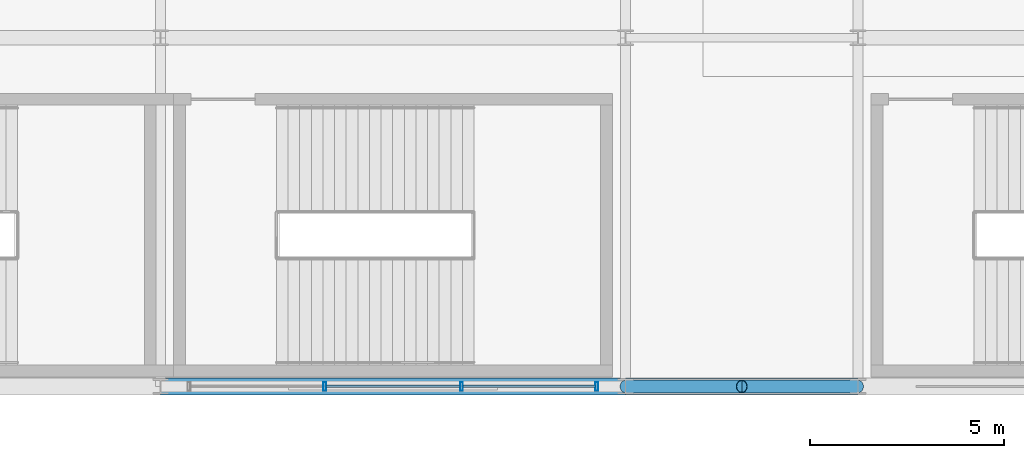
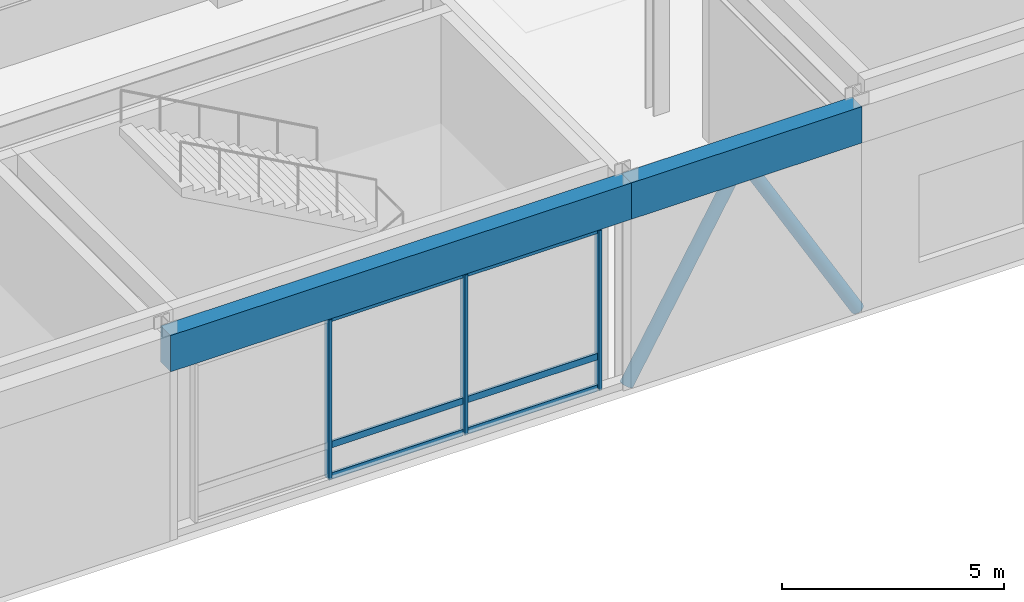
# One storey, part 16 of 105: 11 members, 2 beams, 1 element without a shape of its own.
"""IFC4 building model written with IfcOpenShell, lengths in metres."""

from ifc_helpers import new_model, si_unit, direction, frame, origin, origin_2d, place, context, subcontext, project, spatial, rectangle, hollow_rectangle, hollow_circle, extrude, material, material_profile, profile_set, type_object, element, aggregate, save


model = new_model("IFC4")

# Units and contexts
model_context = context("Model", 3, precision=1e-05, world=origin(), true_north=direction((0.0, 1.0)))
body_context = subcontext(model_context, "Body", "Model", "MODEL_VIEW")
ifc_project = project(units=[si_unit("LENGTHUNIT", "METRE"), si_unit("AREAUNIT", "SQUARE_METRE"), si_unit("VOLUMEUNIT", "CUBIC_METRE"), si_unit("PLANEANGLEUNIT", "RADIAN"), si_unit("MASSUNIT", "GRAM", prefix="KILO")], contexts=[model_context])

# Site, building, storey
site_placement = place(None, origin())
site = spatial("IfcSite", under=ifc_project, at=site_placement, CompositionType="ELEMENT")
building_placement = place(site_placement, origin())
building = spatial("IfcBuilding", under=site, at=building_placement, Name="Kaldorvane Square Convention Centre", CompositionType="ELEMENT")
storey_placement = place(building_placement, frame((0.0, 0.0, 6.0)))
storey = spatial("IfcBuildingStorey", under=building, at=storey_placement, Name="L01", CompositionType="ELEMENT", Elevation=6.0)

# Beams
ifc_material_1 = material(Name="Concrete f'c = 42 MPa (Normalweight)", Category="concrete")
ifc_material_profile_1 = material_profile(ifc_material_1, rectangle(XDim=0.4499969482421875, YDim=1.0, at=origin_2d()), Name="RCSP1000X450")
ifc_profile_set_1 = profile_set([ifc_material_profile_1], Name="Concrete f'c = 42 MPa (Normalweight)")
beam_type = type_object("IfcBeamType", Name="BM-SP-RC1000", PredefinedType="SPANDREL", material=ifc_profile_set_1)
beam_1_placement = place(storey_placement, frame((12.0, 0.0, 5.175994873046875), z_axis=(1.0, 0.0, 0.0), x_axis=(0.0, 1.0, 0.0)))
element("IfcBeam", 1, at=beam_1_placement, inside=storey, type_object=beam_type, Name="Perimeter Spandrel (L01)", PredefinedType="SPANDREL", context=body_context, shape_type="SweptSolid", body=[
    extrude(rectangle(XDim=0.4499969482421875, YDim=1.0, at=origin_2d()), origin(), (0.0, 0.0, 1.0), 12.0),
])
beam_2_placement = place(storey_placement, frame((24.0, 0.0, 5.175994873046875), z_axis=(1.0, 0.0, 0.0), x_axis=(0.0, 1.0, 0.0)))
element("IfcBeam", 2, at=beam_2_placement, inside=storey, type_object=beam_type, Name="Perimeter Spandrel (L01)", PredefinedType="SPANDREL", context=body_context, shape_type="SweptSolid", body=[
    extrude(rectangle(XDim=0.4499969482421875, YDim=1.0, at=origin_2d()), origin(), (0.0, 0.0, 1.0), 6.0),
])

# Curtain wall, members
ifc_material_2 = material(Name="Anodized Aluminum and Low-E Insulated Glazing", Category="aluminium")
curtain_wall_type = type_object("IfcCurtainWallType", Name="CW-UNI-P60-12", PredefinedType="USERDEFINED", material=ifc_material_2)
curtain_wall_placement = place(storey_placement, origin())
curtain_wall = element("IfcCurtainWall", 3, at=curtain_wall_placement, inside=storey, type_object=curtain_wall_type, Name="Curtain Wall CW-01 (L01)", ObjectType="UNITISED GLAZING", PredefinedType="USERDEFINED")
ifc_material_profile_2 = material_profile(ifc_material_2, hollow_rectangle(XDim=0.0749969482421875, YDim=0.220001220703125, WallThickness=0.003997802734375, at=origin_2d()), Name="CWM-220X75")
ifc_profile_set_2 = profile_set([ifc_material_profile_2], Name="Anodized Aluminum and Low-E Insulated Glazing")
member_type_1 = type_object("IfcMemberType", Name="CW-MUL-220", PredefinedType="MULLION", material=ifc_profile_set_2)
member_1_placement = place(storey_placement, frame((16.23333740234375, 0.0, 0.149993896484375), z_axis=(0.0, 0.0, 1.0), x_axis=(1.0, 0.0, 0.0)))
member_1 = element("IfcMember", 4, at=member_1_placement, type_object=member_type_1, Name="CW-01 mullion 2", PredefinedType="MULLION", context=body_context, shape_type="SweptSolid", body=[
    extrude(hollow_rectangle(XDim=0.0749969482421875, YDim=0.220001220703125, WallThickness=0.003997802734375, at=origin_2d()), origin(), (0.0, 0.0, 1.0), 4.410003662109375),
])
member_2_placement = place(storey_placement, frame((19.76666259765625, 0.0, 0.149993896484375), z_axis=(0.0, 0.0, 1.0), x_axis=(1.0, 0.0, 0.0)))
member_2 = element("IfcMember", 5, at=member_2_placement, type_object=member_type_1, Name="CW-01 mullion 3", PredefinedType="MULLION", context=body_context, shape_type="SweptSolid", body=[
    extrude(hollow_rectangle(XDim=0.0749969482421875, YDim=0.220001220703125, WallThickness=0.003997802734375, at=origin_2d()), origin(), (0.0, 0.0, 1.0), 4.410003662109375),
])
member_3_placement = place(storey_placement, frame((23.262496948242188, 0.0, 0.149993896484375), z_axis=(0.0, 0.0, 1.0), x_axis=(1.0, 0.0, 0.0)))
member_3 = element("IfcMember", 6, at=member_3_placement, type_object=member_type_1, Name="CW-01 mullion 4", PredefinedType="MULLION", context=body_context, shape_type="SweptSolid", body=[
    extrude(hollow_rectangle(XDim=0.0749969482421875, YDim=0.220001220703125, WallThickness=0.003997802734375, at=origin_2d()), origin(), (0.0, 0.0, 1.0), 4.410003662109375),
])
ifc_material_profile_3 = material_profile(ifc_material_2, hollow_rectangle(XDim=0.06500244140625, YDim=0.17999267578125, WallThickness=0.0034942626953125, at=origin_2d()), Name="CWT-180X65")
ifc_profile_set_3 = profile_set([ifc_material_profile_3], Name="Anodized Aluminum and Low-E Insulated Glazing")
member_type_2 = type_object("IfcMemberType", Name="CW-TRN-180", PredefinedType="USERDEFINED", material=ifc_profile_set_3)
member_4_placement = place(storey_placement, frame((16.270828247070312, 0.0, 0.1824951171875), z_axis=(1.0, 0.0, 0.0), x_axis=(0.0, 1.0, 0.0)))
member_4 = element("IfcMember", 7, at=member_4_placement, type_object=member_type_2, Name="CW-01 transom 2.1", ObjectType="TRANSOM", PredefinedType="USERDEFINED", context=body_context, shape_type="SweptSolid", body=[
    extrude(hollow_rectangle(XDim=0.06500244140625, YDim=0.17999267578125, WallThickness=0.0034942626953125, at=origin_2d()), origin(), (0.0, 0.0, 1.0), 3.458343505859375),
])
member_5_placement = place(storey_placement, frame((16.270828247070312, 0.0, 1.0500030517578125), z_axis=(1.0, 0.0, 0.0), x_axis=(0.0, 1.0, 0.0)))
member_5 = element("IfcMember", 8, at=member_5_placement, type_object=member_type_2, Name="CW-01 transom 2.2", ObjectType="TRANSOM", PredefinedType="USERDEFINED", context=body_context, shape_type="SweptSolid", body=[
    extrude(hollow_rectangle(XDim=0.06500244140625, YDim=0.17999267578125, WallThickness=0.0034942626953125, at=origin_2d()), origin(), (0.0, 0.0, 1.0), 3.458343505859375),
])
member_6_placement = place(storey_placement, frame((16.270828247070312, 0.0, 4.527496337890625), z_axis=(1.0, 0.0, 0.0), x_axis=(0.0, 1.0, 0.0)))
member_6 = element("IfcMember", 9, at=member_6_placement, type_object=member_type_2, Name="CW-01 transom 2.3", ObjectType="TRANSOM", PredefinedType="USERDEFINED", context=body_context, shape_type="SweptSolid", body=[
    extrude(hollow_rectangle(XDim=0.06500244140625, YDim=0.17999267578125, WallThickness=0.0034942626953125, at=origin_2d()), origin(), (0.0, 0.0, 1.0), 3.458343505859375),
])
member_7_placement = place(storey_placement, frame((19.804168701171875, 0.0, 0.1824951171875), z_axis=(1.0, 0.0, 0.0), x_axis=(0.0, 1.0, 0.0)))
member_7 = element("IfcMember", 10, at=member_7_placement, type_object=member_type_2, Name="CW-01 transom 3.1", ObjectType="TRANSOM", PredefinedType="USERDEFINED", context=body_context, shape_type="SweptSolid", body=[
    extrude(hollow_rectangle(XDim=0.06500244140625, YDim=0.17999267578125, WallThickness=0.0034942626953125, at=origin_2d()), origin(), (0.0, 0.0, 1.0), 3.42083740234375),
])
member_8_placement = place(storey_placement, frame((19.804168701171875, 0.0, 1.0500030517578125), z_axis=(1.0, 0.0, 0.0), x_axis=(0.0, 1.0, 0.0)))
member_8 = element("IfcMember", 11, at=member_8_placement, type_object=member_type_2, Name="CW-01 transom 3.2", ObjectType="TRANSOM", PredefinedType="USERDEFINED", context=body_context, shape_type="SweptSolid", body=[
    extrude(hollow_rectangle(XDim=0.06500244140625, YDim=0.17999267578125, WallThickness=0.0034942626953125, at=origin_2d()), origin(), (0.0, 0.0, 1.0), 3.42083740234375),
])
member_9_placement = place(storey_placement, frame((19.804168701171875, 0.0, 4.527496337890625), z_axis=(1.0, 0.0, 0.0), x_axis=(0.0, 1.0, 0.0)))
member_9 = element("IfcMember", 12, at=member_9_placement, type_object=member_type_2, Name="CW-01 transom 3.3", ObjectType="TRANSOM", PredefinedType="USERDEFINED", context=body_context, shape_type="SweptSolid", body=[
    extrude(hollow_rectangle(XDim=0.06500244140625, YDim=0.17999267578125, WallThickness=0.0034942626953125, at=origin_2d()), origin(), (0.0, 0.0, 1.0), 3.42083740234375),
])
aggregate(curtain_wall, [member_1, member_2, member_3, member_4, member_5, member_6, member_7, member_8, member_9])

# Members
ifc_material_3 = material(Name="Steel ASTM A500 Gr. C", Category="steel")
ifc_material_profile_4 = material_profile(ifc_material_3, hollow_circle(Radius=0.161956787109375, WallThickness=0.0117950439453125, at=origin_2d()), Name="HSS12.750X0.500")
ifc_profile_set_4 = profile_set([ifc_material_profile_4], Name="Steel ASTM A500 Gr. C")
member_type_3 = type_object("IfcMemberType", Name="MB-BR-CHS12", PredefinedType="BRACE", material=ifc_profile_set_4)
for number, where, z_axis, x_axis, name in (
    (13, (24.0, 0.0, 0.0), (0.501458279141, 0.0, 0.865181827294), (0.0, 1.0, 0.0), "Seismic Chevron Brace Y0-B1A (L01)"),
    (14, (30.0, 0.0, 0.0), (-0.501458279141, 0.0, 0.865181827294), (0.0, -1.0, 0.0), "Seismic Chevron Brace Y0-B1B (L01)"),
):
    element("IfcMember", number, at=place(storey_placement, frame(where, z_axis=z_axis, x_axis=x_axis)), inside=storey, type_object=member_type_3, Name=name, PredefinedType="BRACE", context=body_context, shape_type="SweptSolid", body=[
        extrude(hollow_circle(Radius=0.161956787109375, WallThickness=0.0117950439453125, at=origin_2d()), origin(), (0.0, 0.0, 1.0), 5.9825439453125),
    ])

save(model, "model.ifc")
